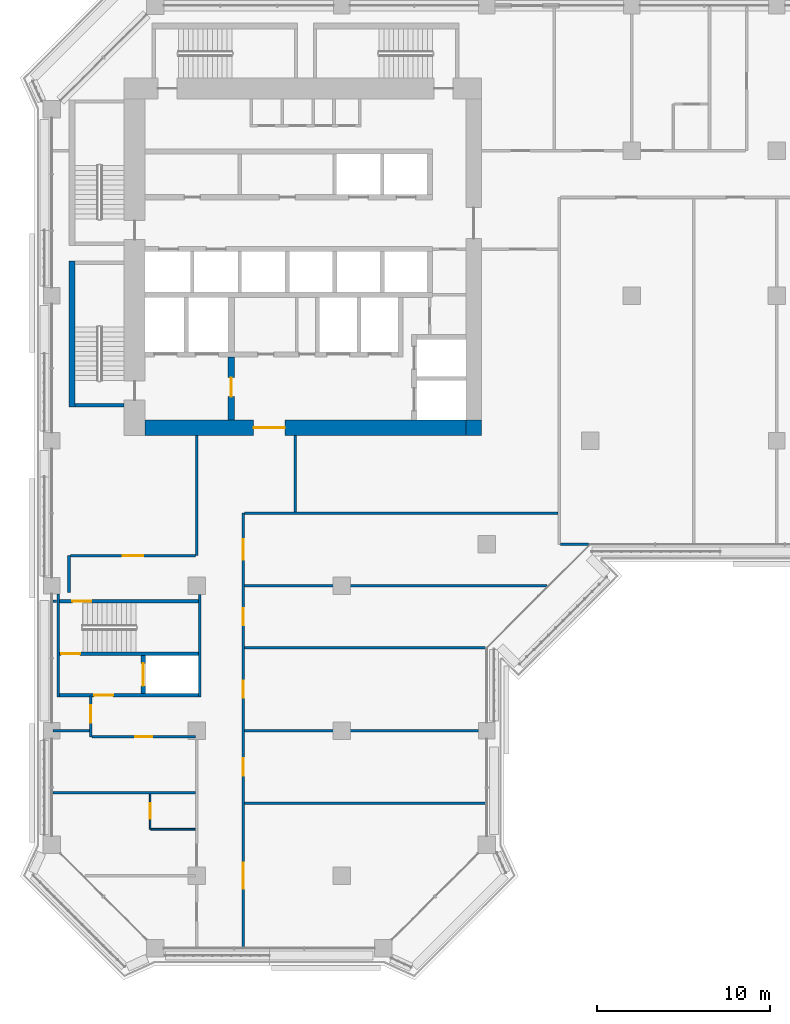
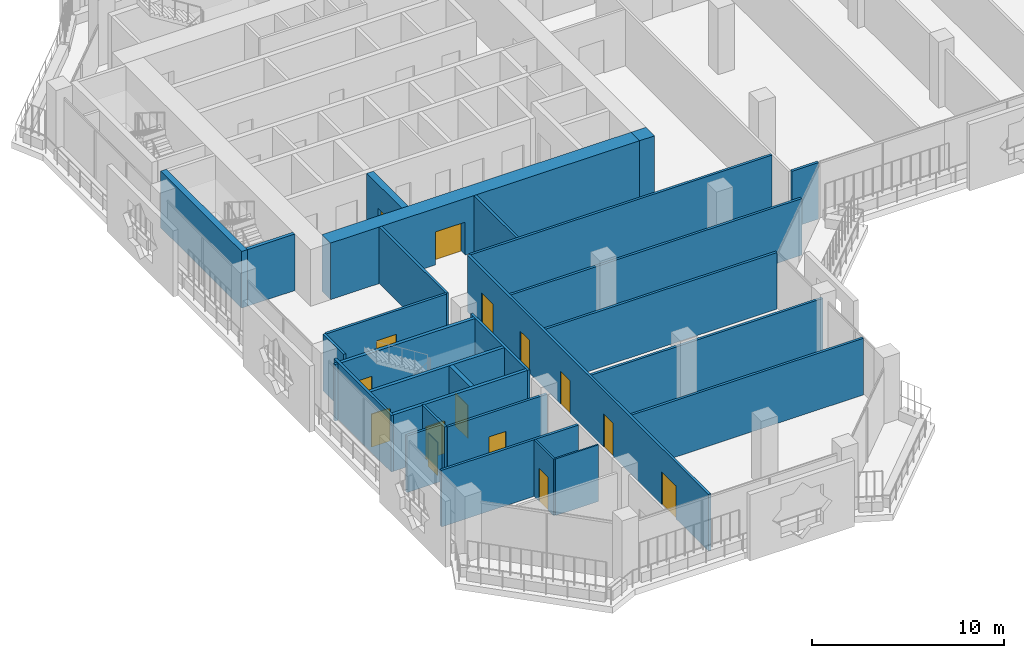
# One storey, part 10 of 21: 29 walls, 15 doors, 15 openings.
"""IFC4 building model written with IfcOpenShell, lengths in metres."""

from ifc_helpers import new_model, si_unit, direction, frame, frame_2d, origin, place, context, subcontext, project, spatial, rectangle, extrude, material, layer, layer_set, type_object, element, fill, save


model = new_model("IFC4")

# Units and contexts
model_context = context("Model", 3, precision=1e-05, world=origin(), true_north=direction((0.0, 1.0)))
body_context = subcontext(model_context, "Body", "Model", "MODEL_VIEW")
ifc_project = project(units=[si_unit("LENGTHUNIT", "METRE"), si_unit("AREAUNIT", "SQUARE_METRE"), si_unit("VOLUMEUNIT", "CUBIC_METRE"), si_unit("PLANEANGLEUNIT", "RADIAN"), si_unit("MASSUNIT", "GRAM", prefix="KILO")], contexts=[model_context])

# Site, building, storey
site_placement = place(None, origin())
site = spatial("IfcSite", under=ifc_project, at=site_placement, CompositionType="ELEMENT")
building_placement = place(site_placement, origin())
building = spatial("IfcBuilding", under=site, at=building_placement, Name="Kawkab Arch Medical Tower", CompositionType="ELEMENT")
storey_placement = place(building_placement, frame((0.0, 0.0, 200.39990234375)))
storey = spatial("IfcBuildingStorey", under=building, at=storey_placement, Name="L46", CompositionType="ELEMENT", Elevation=200.39990234375)

# Wall, opening, door
ifc_material_1 = material(Name="Concrete C55/67", Category="concrete")
ifc_layer_1 = layer(ifc_material_1, 0.89990234375)
ifc_layer_set_1 = layer_set([ifc_layer_1], Name="Concrete C55/67")
wall_type_1 = type_object("IfcWallType", Name="Core ring wall 900 C55/67", PredefinedType="SHEAR", material=ifc_layer_set_1)
wall_1_placement = place(storey_placement, frame((5.39990234375, -24.449951171875, 0.0), z_axis=(0.0, 0.0, 1.0), x_axis=(1.0, 0.0, 0.0)))
wall_1 = element("IfcWall", 1, at=wall_1_placement, inside=storey, type_object=wall_type_1, Name="L46 core wall", PredefinedType="SHEAR", context=body_context, shape_type="SweptSolid", body=[
    extrude(rectangle(XDim=18.60009765625, YDim=0.89990234375, at=frame_2d((9.300048828125, 0.0))), origin(), (0.0, 0.0, 1.0), 3.60009765625),
])
opening_1_placement = place(wall_1_placement, frame((6.300048828125, 0.0, 0.0)))
opening_1 = element("IfcOpeningElement", 2, at=opening_1_placement, cuts=wall_1, Name="Opening PD", PredefinedType="OPENING", context=body_context, shape_type="SweptSolid", body=[
    extrude(rectangle(XDim=1.800048828125, YDim=2.10009765625, at=frame_2d((0.89990234375, 1.050048828125))), frame((0.0, 0.4599609375, 0.0), z_axis=(0.0, -1.0, 0.0), x_axis=(1.0, 0.0, 0.0)), (0.0, 0.0, 1.0), 0.919921875),
])
ifc_material_2 = material(Name="Hollow metal fire door leaf")
door_type_1 = type_object("IfcDoorType", Name="Core entrance doors 1800", OperationType="DOUBLE_DOOR_SINGLE_SWING", PredefinedType="DOOR", material=ifc_material_2)
door_1_placement = place(opening_1_placement, origin())
door_1 = element("IfcDoor", 3, at=door_1_placement, inside=storey, type_object=door_type_1, Name="L46 South entrance doors", OperationType="DOUBLE_DOOR_SINGLE_SWING", OverallHeight=2.10009765625, OverallWidth=1.800048828125, PredefinedType="DOOR", context=body_context, shape_type="SweptSolid", body=[
    extrude(rectangle(XDim=1.800048828125, YDim=2.10009765625, at=frame_2d((0.89990234375, 1.050048828125))), frame((0.0, 0.02490234375, 0.0), z_axis=(0.0, -1.0, 0.0), x_axis=(1.0, 0.0, 0.0)), (0.0, 0.0, 1.0), 0.050048828125),
])
fill(opening_1, door_1)

# Wall
wall_2_placement = place(storey_placement, frame((24.449951171875, -24.89990234375, 0.0), z_axis=(0.0, 0.0, 1.0), x_axis=(0.0, 1.0, 0.0)))
element("IfcWall", 4, at=wall_2_placement, inside=storey, type_object=wall_type_1, Name="L46 core wall", PredefinedType="SHEAR", context=body_context, shape_type="SweptSolid", body=[
    extrude(rectangle(XDim=0.89990234375, YDim=0.89990234375, at=frame_2d((0.449951171875, 0.0))), origin(), (0.0, 0.0, 1.0), 3.60009765625),
])

# Wall, opening, door
ifc_material_3 = material(Name="Concrete C60/75", Category="concrete")
ifc_layer_2 = layer(ifc_material_3, 0.25)
ifc_layer_set_2 = layer_set([ifc_layer_2], Name="Concrete C60/75")
wall_type_2 = type_object("IfcWallType", Name="Core shear wall 250 C60/75", PredefinedType="SHEAR", material=ifc_layer_set_2)
wall_3_placement = place(storey_placement, frame((5.300048828125, -39.85009765625, 0.0), z_axis=(0.0, 0.0, 1.0), x_axis=(0.0, 1.0, 0.0)))
wall_3 = element("IfcWall", 5, at=wall_3_placement, inside=storey, type_object=wall_type_2, Name="L46 core shear wall", PredefinedType="SHEAR", context=body_context, shape_type="SweptSolid", body=[
    extrude(rectangle(XDim=2.2001953125, YDim=0.25, at=frame_2d((1.10009765625, 0.0))), origin(), (0.0, 0.0, 1.0), 3.60009765625),
])
opening_2_placement = place(wall_3_placement, frame((0.449951171875, 0.0, 0.0)))
opening_2 = element("IfcOpeningElement", 6, at=opening_2_placement, cuts=wall_3, Name="Opening LD2", PredefinedType="OPENING", context=body_context, shape_type="SweptSolid", body=[
    extrude(rectangle(XDim=1.300048828125, YDim=2.10009765625, at=frame_2d((0.64990234375, 1.050048828125))), frame((0.0, 0.135009765625, 0.0), z_axis=(0.0, -1.0, 0.0), x_axis=(1.0, 0.0, 0.0)), (0.0, 0.0, 1.0), 0.27001953125),
])
ifc_material_4 = material(Name="Stainless steel lift door leaf", Category="steel")
door_type_2 = type_object("IfcDoorType", Name="Lift landing door 1300", OperationType="DOUBLE_DOOR_SLIDING", PredefinedType="DOOR", material=ifc_material_4)
door_2_placement = place(opening_2_placement, origin())
door_2 = element("IfcDoor", 7, at=door_2_placement, inside=storey, type_object=door_type_2, Name="L46 Lift landing door SV2", OperationType="DOUBLE_DOOR_SLIDING", OverallHeight=2.10009765625, OverallWidth=1.300048828125, PredefinedType="DOOR", context=body_context, shape_type="SweptSolid", body=[
    extrude(rectangle(XDim=1.300048828125, YDim=2.10009765625, at=frame_2d((0.64990234375, 1.050048828125))), frame((0.0, 0.02490234375, 0.0), z_axis=(0.0, -1.0, 0.0), x_axis=(1.0, 0.0, 0.0)), (0.0, 0.0, 1.0), 0.050048828125),
])
fill(opening_2, door_2)

ifc_material_5 = material(Name="Concrete C60/75", Category="concrete")
ifc_layer_3 = layer(ifc_material_5, 0.39990234375)
ifc_layer_set_3 = layer_set([ifc_layer_3], Name="Concrete C60/75")
wall_type_3 = type_object("IfcWallType", Name="Core shear wall 400 C60/75", PredefinedType="SHEAR", material=ifc_layer_set_3)
wall_4_placement = place(storey_placement, frame((10.39990234375, -24.0, 0.0), z_axis=(0.0, 0.0, 1.0), x_axis=(0.0, 1.0, 0.0)))
wall_4 = element("IfcWall", 8, at=wall_4_placement, inside=storey, type_object=wall_type_3, Name="L46 core shear wall", PredefinedType="SHEAR", context=body_context, shape_type="SweptSolid", body=[
    extrude(rectangle(XDim=3.64990234375, YDim=0.39990234375, at=frame_2d((1.824951171875, 0.0))), origin(), (0.0, 0.0, 1.0), 3.60009765625),
])
opening_3_placement = place(wall_4_placement, frame((1.35009765625, 0.0, 0.0)))
opening_3 = element("IfcOpeningElement", 9, at=opening_3_placement, cuts=wall_4, Name="Opening FD", PredefinedType="OPENING", context=body_context, shape_type="SweptSolid", body=[
    extrude(rectangle(XDim=1.10009765625, YDim=2.10009765625, at=frame_2d((0.550048828125, 1.050048828125))), frame((0.0, 0.2099609375, 0.0), z_axis=(0.0, -1.0, 0.0), x_axis=(1.0, 0.0, 0.0)), (0.0, 0.0, 1.0), 0.419921875),
])
ifc_material_6 = material(Name="Hollow metal fire door leaf")
door_type_3 = type_object("IfcDoorType", Name="Firefighting lobby door 1100", OperationType="SINGLE_SWING_LEFT", PredefinedType="DOOR", material=ifc_material_6)
door_3_placement = place(opening_3_placement, origin())
door_3 = element("IfcDoor", 10, at=door_3_placement, inside=storey, type_object=door_type_3, Name="L46 Firefighting lobby door", OperationType="SINGLE_SWING_LEFT", OverallHeight=2.10009765625, OverallWidth=1.10009765625, PredefinedType="DOOR", context=body_context, shape_type="SweptSolid", body=[
    extrude(rectangle(XDim=1.10009765625, YDim=2.10009765625, at=frame_2d((0.550048828125, 1.050048828125))), frame((0.0, 0.02490234375, 0.0), z_axis=(0.0, -1.0, 0.0), x_axis=(1.0, 0.0, 0.0)), (0.0, 0.0, 1.0), 0.050048828125),
])
fill(opening_3, door_3)

# Wall
ifc_material_7 = material(Name="Gypsum board partition on steel studs", Category="steel")
ifc_layer_4 = layer(ifc_material_7, 0.10009765625)
ifc_layer_set_4 = layer_set([ifc_layer_4], Name="Gypsum board partition on steel studs")
wall_type_4 = type_object("IfcWallType", Name="Partition 100", PredefinedType="PARTITIONING", material=ifc_layer_set_4)
wall_5_placement = place(storey_placement, frame((5.75, -47.699951171875, 0.0), z_axis=(0.0, 0.0, 1.0), x_axis=(1.0, 0.0, 0.0)))
element("IfcWall", 11, at=wall_5_placement, inside=storey, type_object=wall_type_4, Name="Partition 100 w001", PredefinedType="PARTITIONING", context=body_context, shape_type="SweptSolid", body=[
    extrude(rectangle(XDim=2.574951171875, YDim=0.10009765625, at=frame_2d((1.28759765625, 0.0))), origin(), (0.0, 0.0, 1.0), 3.60009765625),
])

# Wall, opening, door
wall_6_placement = place(storey_placement, frame((5.699951171875, -47.699951171875, 0.0), z_axis=(0.0, 0.0, 1.0), x_axis=(0.0, 1.0, 0.0)))
wall_6 = element("IfcWall", 12, at=wall_6_placement, inside=storey, type_object=wall_type_4, Name="Partition 100 w004", PredefinedType="PARTITIONING", context=body_context, shape_type="SweptSolid", body=[
    extrude(rectangle(XDim=2.02490234375, YDim=0.10009765625, at=frame_2d((1.012451171875, 0.0))), origin(), (0.0, 0.0, 1.0), 3.60009765625),
])
opening_4_placement = place(wall_6_placement, frame((0.60009765625, 0.0, 0.0)))
opening_4 = element("IfcOpeningElement", 13, at=opening_4_placement, cuts=wall_6, Name="Opening W41-006", PredefinedType="OPENING", context=body_context, shape_type="SweptSolid", body=[
    extrude(rectangle(XDim=0.89990234375, YDim=2.10009765625, at=frame_2d((0.449951171875, 1.050048828125))), frame((0.0, 0.06005859375, 0.0), z_axis=(0.0, -1.0, 0.0), x_axis=(1.0, 0.0, 0.0)), (0.0, 0.0, 1.0), 0.1201171875),
])
ifc_material_8 = material(Name="Timber door leaf", Category="wood")
door_type_4 = type_object("IfcDoorType", Name="Single door 900x2100", OperationType="NOTDEFINED", PredefinedType="DOOR", material=ifc_material_8)
door_4_placement = place(opening_4_placement, origin())
door_4 = element("IfcDoor", 14, at=door_4_placement, inside=storey, type_object=door_type_4, Name="Door W41-006", OperationType="SINGLE_SWING_RIGHT", OverallHeight=2.10009765625, OverallWidth=0.89990234375, PredefinedType="DOOR", context=body_context, shape_type="SweptSolid", body=[
    extrude(rectangle(XDim=0.89990234375, YDim=2.10009765625, at=frame_2d((0.449951171875, 1.050048828125))), frame((0.0, 0.02490234375, 0.0), z_axis=(0.0, -1.0, 0.0), x_axis=(1.0, 0.0, 0.0)), (0.0, 0.0, 1.0), 0.050048828125),
])
fill(opening_4, door_4)

# Walls
ifc_material_9 = material(Name="Gypsum board partition on steel studs, mineral wool", Category="steel")
ifc_layer_5 = layer(ifc_material_9, 0.14990234375)
ifc_layer_set_5 = layer_set([ifc_layer_5], Name="Gypsum board partition on steel studs, mineral wool")
wall_type_5 = type_object("IfcWallType", Name="Partition 150", PredefinedType="PARTITIONING", material=ifc_layer_set_5)
wall_7_placement = place(storey_placement, frame((11.175048828125, -46.199951171875, 0.0), z_axis=(0.0, 0.0, 1.0), x_axis=(1.0, 0.0, 0.0)))
element("IfcWall", 15, at=wall_7_placement, inside=storey, type_object=wall_type_5, Name="Partition 150 w008", PredefinedType="PARTITIONING", context=body_context, shape_type="SweptSolid", body=[
    extrude(rectangle(XDim=13.945068359375, YDim=0.14990234375, at=frame_2d((6.97265625, 0.0))), origin(), (0.0, 0.0, 1.0), 3.60009765625),
])
wall_8_placement = place(storey_placement, frame((0.080078125, -45.60009765625, 0.0), z_axis=(0.0, 0.0, 1.0), x_axis=(1.0, 0.0, 0.0)))
element("IfcWall", 16, at=wall_8_placement, inside=storey, type_object=wall_type_5, Name="Partition 150 w009", PredefinedType="PARTITIONING", context=body_context, shape_type="SweptSolid", body=[
    extrude(rectangle(XDim=8.244873046875, YDim=0.14990234375, at=frame_2d((4.12255859375, 0.0))), origin(), (0.0, 0.0, 1.0), 3.60009765625),
])

# Wall, opening, door
wall_9_placement = place(storey_placement, frame((2.326904296875, -42.35009765625, 0.0), z_axis=(0.0, 0.0, 1.0), x_axis=(1.0, 0.0, 0.0)))
wall_9 = element("IfcWall", 17, at=wall_9_placement, inside=storey, type_object=wall_type_5, Name="Partition 150 w010", PredefinedType="PARTITIONING", context=body_context, shape_type="SweptSolid", body=[
    extrude(rectangle(XDim=5.998046875, YDim=0.14990234375, at=frame_2d((2.9990234375, 0.0))), origin(), (0.0, 0.0, 1.0), 3.60009765625),
])
opening_5_placement = place(wall_9_placement, frame((2.4990234375, 0.0, 0.0)))
opening_5 = element("IfcOpeningElement", 18, at=opening_5_placement, cuts=wall_9, Name="Opening W41-018", PredefinedType="OPENING", context=body_context, shape_type="SweptSolid", body=[
    extrude(rectangle(XDim=1.0, YDim=2.10009765625, at=frame_2d((0.5, 1.050048828125))), frame((0.0, 0.0849609375, 0.0), z_axis=(0.0, -1.0, 0.0), x_axis=(1.0, 0.0, 0.0)), (0.0, 0.0, 1.0), 0.169921875),
])
ifc_material_10 = material(Name="Hollow metal door leaf")
door_type_5 = type_object("IfcDoorType", Name="Single door 1000x2100 FD30S", OperationType="NOTDEFINED", PredefinedType="DOOR", material=ifc_material_10)
door_5_placement = place(opening_5_placement, origin())
door_5 = element("IfcDoor", 19, at=door_5_placement, inside=storey, type_object=door_type_5, Name="Door W41-018", OperationType="SINGLE_SWING_LEFT", OverallHeight=2.10009765625, OverallWidth=1.0, PredefinedType="DOOR", context=body_context, shape_type="SweptSolid", body=[
    extrude(rectangle(XDim=1.0, YDim=2.10009765625, at=frame_2d((0.5, 1.050048828125))), frame((0.0, 0.02490234375, 0.0), z_axis=(0.0, -1.0, 0.0), x_axis=(1.0, 0.0, 0.0)), (0.0, 0.0, 1.0), 0.050048828125),
])
fill(opening_5, door_5)

# Walls
wall_10_placement = place(storey_placement, frame((0.080078125, -42.0, 0.0), z_axis=(0.0, 0.0, 1.0), x_axis=(1.0, 0.0, 0.0)))
element("IfcWall", 20, at=wall_10_placement, inside=storey, type_object=wall_type_5, Name="Partition 150 w011", PredefinedType="PARTITIONING", context=body_context, shape_type="SweptSolid", body=[
    extrude(rectangle(XDim=2.094970703125, YDim=0.14990234375, at=frame_2d((1.04736328125, 0.0))), origin(), (0.0, 0.0, 1.0), 3.60009765625),
])
for number, where, z_axis, x_axis, name in (
    (21, (11.175048828125, -42.0, 0.0), (0.0, 0.0, 1.0), (1.0, 0.0, 0.0), "Partition 150 w012"),
    (22, (11.175048828125, -37.199951171875, 0.0), (0.0, 0.0, 1.0), (1.0, 0.0, 0.0), "Partition 150 w013"),
):
    element("IfcWall", number, at=place(storey_placement, frame(where, z_axis=z_axis, x_axis=x_axis)), inside=storey, type_object=wall_type_5, Name=name, PredefinedType="PARTITIONING", context=body_context, shape_type="SweptSolid", body=[
        extrude(rectangle(XDim=13.945068359375, YDim=0.14990234375, at=frame_2d((6.97265625, 0.0))), origin(), (0.0, 0.0, 1.0), 3.60009765625),
    ])
wall_11_placement = place(storey_placement, frame((0.080078125, -34.5, 0.0), z_axis=(0.0, 0.0, 1.0), x_axis=(1.0, 0.0, 0.0)))
element("IfcWall", 23, at=wall_11_placement, inside=storey, type_object=wall_type_5, Name="Partition 150 w014", PredefinedType="PARTITIONING", context=body_context, shape_type="SweptSolid", body=[
    extrude(rectangle(XDim=0.18994140625, YDim=0.14990234375, at=frame_2d((0.094970703125, 0.0))), origin(), (0.0, 0.0, 1.0), 3.60009765625),
])
wall_12_placement = place(storey_placement, frame((11.175048828125, -33.60009765625, 0.0), z_axis=(0.0, 0.0, 1.0), x_axis=(1.0, 0.0, 0.0)))
element("IfcWall", 24, at=wall_12_placement, inside=storey, type_object=wall_type_5, Name="Partition 150 w015", PredefinedType="PARTITIONING", context=body_context, shape_type="SweptSolid", body=[
    extrude(rectangle(XDim=17.511962890625, YDim=0.14990234375, at=frame_2d((8.755859375, 0.0))), origin(), (0.0, 0.0, 1.0), 3.60009765625),
])

# Wall, opening, door
wall_13_placement = place(storey_placement, frame((1.076904296875, -31.85693359375, 0.0), z_axis=(0.0, 0.0, 1.0), x_axis=(1.0, 0.0, 0.0)))
wall_13 = element("IfcWall", 25, at=wall_13_placement, inside=storey, type_object=wall_type_5, Name="Partition 150 w016", PredefinedType="PARTITIONING", context=body_context, shape_type="SweptSolid", body=[
    extrude(rectangle(XDim=7.248046875, YDim=0.14990234375, at=frame_2d((3.6240234375, 0.0))), origin(), (0.0, 0.0, 1.0), 3.60009765625),
])
opening_6_placement = place(wall_13_placement, frame((3.02392578125, 0.0, 0.0)))
opening_6 = element("IfcOpeningElement", 26, at=opening_6_placement, cuts=wall_13, Name="Opening W41-028", PredefinedType="OPENING", context=body_context, shape_type="SweptSolid", body=[
    extrude(rectangle(XDim=1.199951171875, YDim=2.10009765625, at=frame_2d((0.60009765625, 1.050048828125))), frame((0.0, 0.0849609375, 0.0), z_axis=(0.0, -1.0, 0.0), x_axis=(1.0, 0.0, 0.0)), (0.0, 0.0, 1.0), 0.169921875),
])
ifc_material_11 = material(Name="Hollow metal door leaf")
door_type_6 = type_object("IfcDoorType", Name="Single door 1200x2100 FD30S", OperationType="NOTDEFINED", PredefinedType="DOOR", material=ifc_material_11)
door_6_placement = place(opening_6_placement, origin())
door_6 = element("IfcDoor", 27, at=door_6_placement, inside=storey, type_object=door_type_6, Name="Door W41-028", OperationType="SINGLE_SWING_RIGHT", OverallHeight=2.10009765625, OverallWidth=1.199951171875, PredefinedType="DOOR", context=body_context, shape_type="SweptSolid", body=[
    extrude(rectangle(XDim=1.199951171875, YDim=2.10009765625, at=frame_2d((0.60009765625, 1.050048828125))), frame((0.0, 0.02490234375, 0.0), z_axis=(0.0, -1.0, 0.0), x_axis=(1.0, 0.0, 0.0)), (0.0, 0.0, 1.0), 0.050048828125),
])
fill(opening_6, door_6)

# Walls
wall_14_placement = place(storey_placement, frame((29.47705078125, -31.199951171875, 0.0), z_axis=(0.0, 0.0, 1.0), x_axis=(1.0, 0.0, 0.0)))
element("IfcWall", 28, at=wall_14_placement, inside=storey, type_object=wall_type_5, Name="Partition 150 w017", PredefinedType="PARTITIONING", context=body_context, shape_type="SweptSolid", body=[
    extrude(rectangle(XDim=1.60986328125, YDim=0.14990234375, at=frame_2d((0.804931640625, 0.0))), origin(), (0.0, 0.0, 1.0), 3.60009765625),
])
wall_15_placement = place(storey_placement, frame((11.175048828125, -29.39990234375, 0.0), z_axis=(0.0, 0.0, 1.0), x_axis=(1.0, 0.0, 0.0)))
element("IfcWall", 29, at=wall_15_placement, inside=storey, type_object=wall_type_5, Name="Partition 150 w018", PredefinedType="PARTITIONING", context=body_context, shape_type="SweptSolid", body=[
    extrude(rectangle(XDim=18.14990234375, YDim=0.14990234375, at=frame_2d((9.074951171875, 0.0))), origin(), (0.0, 0.0, 1.0), 3.60009765625),
])
wall_16_placement = place(storey_placement, frame((1.0, -33.9970703125, 0.0), z_axis=(0.0, 0.0, 1.0), x_axis=(0.0, 1.0, 0.0)))
element("IfcWall", 30, at=wall_16_placement, inside=storey, type_object=wall_type_5, Name="Partition 150 w025", PredefinedType="PARTITIONING", context=body_context, shape_type="SweptSolid", body=[
    extrude(rectangle(XDim=2.135986328125, YDim=0.14990234375, at=frame_2d((1.06787109375, 0.0))), origin(), (0.0, 0.0, 1.0), 3.60009765625),
])

# Wall, opening, door
wall_17_placement = place(storey_placement, frame((2.25, -42.347900390625, 0.0), z_axis=(0.0, 0.0, 1.0), x_axis=(0.0, 1.0, 0.0)))
wall_17 = element("IfcWall", 31, at=wall_17_placement, inside=storey, type_object=wall_type_5, Name="Partition 150 w026", PredefinedType="PARTITIONING", context=body_context, shape_type="SweptSolid", body=[
    extrude(rectangle(XDim=2.347900390625, YDim=0.14990234375, at=frame_2d((1.173828125, 0.0))), origin(), (0.0, 0.0, 1.0), 3.60009765625),
])
opening_7_placement = place(wall_17_placement, frame((0.822998046875, 0.0, 0.0)))
opening_7 = element("IfcOpeningElement", 32, at=opening_7_placement, cuts=wall_17, Name="Opening W41-017", PredefinedType="OPENING", context=body_context, shape_type="SweptSolid", body=[
    extrude(rectangle(XDim=1.0, YDim=2.10009765625, at=frame_2d((0.5, 1.050048828125))), frame((0.0, 0.0849609375, 0.0), z_axis=(0.0, -1.0, 0.0), x_axis=(1.0, 0.0, 0.0)), (0.0, 0.0, 1.0), 0.169921875),
])
door_7_placement = place(opening_7_placement, origin())
door_7 = element("IfcDoor", 33, at=door_7_placement, inside=storey, type_object=door_type_5, Name="Door W41-017", OperationType="SINGLE_SWING_LEFT", OverallHeight=2.10009765625, OverallWidth=1.0, PredefinedType="DOOR", context=body_context, shape_type="SweptSolid", body=[
    extrude(rectangle(XDim=1.0, YDim=2.10009765625, at=frame_2d((0.5, 1.050048828125))), frame((0.0, 0.02490234375, 0.0), z_axis=(0.0, -1.0, 0.0), x_axis=(1.0, 0.0, 0.0)), (0.0, 0.0, 1.0), 0.050048828125),
])
fill(opening_7, door_7)

# Wall
wall_18_placement = place(storey_placement, frame((8.39990234375, -31.85693359375, 0.0), z_axis=(0.0, 0.0, 1.0), x_axis=(0.0, 1.0, 0.0)))
element("IfcWall", 34, at=wall_18_placement, inside=storey, type_object=wall_type_5, Name="Partition 150 w028", PredefinedType="PARTITIONING", context=body_context, shape_type="SweptSolid", body=[
    extrude(rectangle(XDim=6.95703125, YDim=0.14990234375, at=frame_2d((3.478515625, 0.0))), origin(), (0.0, 0.0, 1.0), 3.60009765625),
])

# Wall, openings, doors
wall_19_placement = place(storey_placement, frame((11.10009765625, -54.52001953125, 0.0), z_axis=(0.0, 0.0, 1.0), x_axis=(0.0, 1.0, 0.0)))
wall_19 = element("IfcWall", 35, at=wall_19_placement, inside=storey, type_object=wall_type_5, Name="Partition 150 w029", PredefinedType="PARTITIONING", context=body_context, shape_type="SweptSolid", body=[
    extrude(rectangle(XDim=25.1201171875, YDim=0.14990234375, at=frame_2d((12.56005859375, 0.0))), origin(), (0.0, 0.0, 1.0), 3.60009765625),
])
opening_8_placement = place(wall_19_placement, frame((22.419921875, 0.0, 0.0)))
opening_8 = element("IfcOpeningElement", 36, at=opening_8_placement, cuts=wall_19, Name="Opening W41-030", PredefinedType="OPENING", context=body_context, shape_type="SweptSolid", body=[
    extrude(rectangle(XDim=1.199951171875, YDim=2.10009765625, at=frame_2d((0.60009765625, 1.050048828125))), frame((0.0, 0.0849609375, 0.0), z_axis=(0.0, -1.0, 0.0), x_axis=(1.0, 0.0, 0.0)), (0.0, 0.0, 1.0), 0.169921875),
])
opening_9_placement = place(wall_19_placement, frame((18.6201171875, 0.0, 0.0)))
opening_9 = element("IfcOpeningElement", 37, at=opening_9_placement, cuts=wall_19, Name="Opening W41-020", PredefinedType="OPENING", context=body_context, shape_type="SweptSolid", body=[
    extrude(rectangle(XDim=1.0, YDim=2.10009765625, at=frame_2d((0.5, 1.050048828125))), frame((0.0, 0.0849609375, 0.0), z_axis=(0.0, -1.0, 0.0), x_axis=(1.0, 0.0, 0.0)), (0.0, 0.0, 1.0), 0.169921875),
])
opening_10_placement = place(wall_19_placement, frame((14.419921875, 0.0, 0.0)))
opening_10 = element("IfcOpeningElement", 38, at=opening_10_placement, cuts=wall_19, Name="Opening W41-021", PredefinedType="OPENING", context=body_context, shape_type="SweptSolid", body=[
    extrude(rectangle(XDim=1.0, YDim=2.10009765625, at=frame_2d((0.5, 1.050048828125))), frame((0.0, 0.0849609375, 0.0), z_axis=(0.0, -1.0, 0.0), x_axis=(1.0, 0.0, 0.0)), (0.0, 0.0, 1.0), 0.169921875),
])
opening_11_placement = place(wall_19_placement, frame((9.919921875, 0.0, 0.0)))
opening_11 = element("IfcOpeningElement", 39, at=opening_11_placement, cuts=wall_19, Name="Opening W41-022", PredefinedType="OPENING", context=body_context, shape_type="SweptSolid", body=[
    extrude(rectangle(XDim=1.0, YDim=2.10009765625, at=frame_2d((0.5, 1.050048828125))), frame((0.0, 0.0849609375, 0.0), z_axis=(0.0, -1.0, 0.0), x_axis=(1.0, 0.0, 0.0)), (0.0, 0.0, 1.0), 0.169921875),
])
opening_12_placement = place(wall_19_placement, frame((3.3701171875, 0.0, 0.0)))
opening_12 = element("IfcOpeningElement", 40, at=opening_12_placement, cuts=wall_19, Name="Opening W41-003", PredefinedType="OPENING", context=body_context, shape_type="SweptSolid", body=[
    extrude(rectangle(XDim=1.5, YDim=2.10009765625, at=frame_2d((0.75, 1.050048828125))), frame((0.0, 0.0849609375, 0.0), z_axis=(0.0, -1.0, 0.0), x_axis=(1.0, 0.0, 0.0)), (0.0, 0.0, 1.0), 0.169921875),
])
ifc_material_12 = material(Name="Hollow metal door leaf")
door_type_7 = type_object("IfcDoorType", Name="Double door 1500x2100 FD30S", OperationType="NOTDEFINED", PredefinedType="DOOR", material=ifc_material_12)
door_8_placement = place(opening_12_placement, origin())
door_8 = element("IfcDoor", 41, at=door_8_placement, inside=storey, type_object=door_type_7, Name="Door W41-003", OperationType="DOUBLE_DOOR_SINGLE_SWING", OverallHeight=2.10009765625, OverallWidth=1.5, PredefinedType="DOOR", context=body_context, shape_type="SweptSolid", body=[
    extrude(rectangle(XDim=1.5, YDim=2.10009765625, at=frame_2d((0.75, 1.050048828125))), frame((0.0, 0.02490234375, 0.0), z_axis=(0.0, -1.0, 0.0), x_axis=(1.0, 0.0, 0.0)), (0.0, 0.0, 1.0), 0.050048828125),
])
fill(opening_12, door_8)
door_9_placement = place(opening_9_placement, origin())
door_9 = element("IfcDoor", 42, at=door_9_placement, inside=storey, type_object=door_type_5, Name="Door W41-020", OperationType="SINGLE_SWING_LEFT", OverallHeight=2.10009765625, OverallWidth=1.0, PredefinedType="DOOR", context=body_context, shape_type="SweptSolid", body=[
    extrude(rectangle(XDim=1.0, YDim=2.10009765625, at=frame_2d((0.5, 1.050048828125))), frame((0.0, 0.02490234375, 0.0), z_axis=(0.0, -1.0, 0.0), x_axis=(1.0, 0.0, 0.0)), (0.0, 0.0, 1.0), 0.050048828125),
])
fill(opening_9, door_9)
door_10_placement = place(opening_10_placement, origin())
door_10 = element("IfcDoor", 43, at=door_10_placement, inside=storey, type_object=door_type_5, Name="Door W41-021", OperationType="SINGLE_SWING_LEFT", OverallHeight=2.10009765625, OverallWidth=1.0, PredefinedType="DOOR", context=body_context, shape_type="SweptSolid", body=[
    extrude(rectangle(XDim=1.0, YDim=2.10009765625, at=frame_2d((0.5, 1.050048828125))), frame((0.0, 0.02490234375, 0.0), z_axis=(0.0, -1.0, 0.0), x_axis=(1.0, 0.0, 0.0)), (0.0, 0.0, 1.0), 0.050048828125),
])
fill(opening_10, door_10)
door_11_placement = place(opening_11_placement, origin())
door_11 = element("IfcDoor", 44, at=door_11_placement, inside=storey, type_object=door_type_5, Name="Door W41-022", OperationType="SINGLE_SWING_RIGHT", OverallHeight=2.10009765625, OverallWidth=1.0, PredefinedType="DOOR", context=body_context, shape_type="SweptSolid", body=[
    extrude(rectangle(XDim=1.0, YDim=2.10009765625, at=frame_2d((0.5, 1.050048828125))), frame((0.0, 0.02490234375, 0.0), z_axis=(0.0, -1.0, 0.0), x_axis=(1.0, 0.0, 0.0)), (0.0, 0.0, 1.0), 0.050048828125),
])
fill(opening_11, door_11)
door_12_placement = place(opening_8_placement, origin())
door_12 = element("IfcDoor", 45, at=door_12_placement, inside=storey, type_object=door_type_6, Name="Door W41-030", OperationType="SINGLE_SWING_LEFT", OverallHeight=2.10009765625, OverallWidth=1.199951171875, PredefinedType="DOOR", context=body_context, shape_type="SweptSolid", body=[
    extrude(rectangle(XDim=1.199951171875, YDim=2.10009765625, at=frame_2d((0.60009765625, 1.050048828125))), frame((0.0, 0.02490234375, 0.0), z_axis=(0.0, -1.0, 0.0), x_axis=(1.0, 0.0, 0.0)), (0.0, 0.0, 1.0), 0.050048828125),
])
fill(opening_8, door_12)

# Walls
wall_20_placement = place(storey_placement, frame((14.10009765625, -29.324951171875, 0.0), z_axis=(0.0, 0.0, 1.0), x_axis=(0.0, 1.0, 0.0)))
element("IfcWall", 46, at=wall_20_placement, inside=storey, type_object=wall_type_5, Name="Partition 150 w030", PredefinedType="PARTITIONING", context=body_context, shape_type="SweptSolid", body=[
    extrude(rectangle(XDim=4.425048828125, YDim=0.14990234375, at=frame_2d((2.21240234375, 0.0))), origin(), (0.0, 0.0, 1.0), 3.60009765625),
])
ifc_material_13 = material(Name="Concrete C50/60", Category="concrete")
ifc_layer_6 = layer(ifc_material_13, 0.14990234375)
ifc_layer_set_6 = layer_set([ifc_layer_6], Name="Concrete C50/60")
wall_type_6 = type_object("IfcWallType", Name="Stair enclosure wall 150 C50/60", PredefinedType="SHEAR", material=ifc_layer_set_6)
wall_21_placement = place(storey_placement, frame((0.375, -40.050048828125, 0.0), z_axis=(0.0, 0.0, 1.0), x_axis=(0.0, 1.0, 0.0)))
element("IfcWall", 47, at=wall_21_placement, inside=storey, type_object=wall_type_6, Name="L46 stair enclosure wall", PredefinedType="SHEAR", context=body_context, shape_type="SweptSolid", body=[
    extrude(rectangle(XDim=5.97509765625, YDim=0.14990234375, at=frame_2d((2.987548828125, 0.0))), origin(), (0.0, 0.0, 1.0), 3.60009765625),
])
wall_22_placement = place(storey_placement, frame((8.574951171875, -40.050048828125, 0.0), z_axis=(0.0, 0.0, 1.0), x_axis=(0.0, 1.0, 0.0)))
element("IfcWall", 48, at=wall_22_placement, inside=storey, type_object=wall_type_6, Name="L46 stair enclosure wall", PredefinedType="SHEAR", context=body_context, shape_type="SweptSolid", body=[
    extrude(rectangle(XDim=5.949951171875, YDim=0.14990234375, at=frame_2d((2.97509765625, 0.0))), origin(), (0.0, 0.0, 1.0), 3.60009765625),
])
ifc_material_14 = material(Name="Concrete C50/60", Category="concrete")
ifc_layer_7 = layer(ifc_material_14, 0.199951171875)
ifc_layer_set_7 = layer_set([ifc_layer_7], Name="Concrete C50/60")
wall_type_7 = type_object("IfcWallType", Name="Stair enclosure wall 200 C50/60", PredefinedType="SHEAR", material=ifc_layer_set_7)
wall_23_placement = place(storey_placement, frame((1.35009765625, -23.14990234375, 0.0), z_axis=(0.0, 0.0, 1.0), x_axis=(1.0, 0.0, 0.0)))
element("IfcWall", 49, at=wall_23_placement, inside=storey, type_object=wall_type_7, Name="L46 stair enclosure wall", PredefinedType="SHEAR", context=body_context, shape_type="SweptSolid", body=[
    extrude(rectangle(XDim=2.849853515625, YDim=0.199951171875, at=frame_2d((1.4248046875, 0.0))), origin(), (0.0, 0.0, 1.0), 3.60009765625),
])

# Wall, opening, door
wall_24_placement = place(storey_placement, frame((0.449951171875, -34.5, 0.0), z_axis=(0.0, 0.0, 1.0), x_axis=(1.0, 0.0, 0.0)))
wall_24 = element("IfcWall", 50, at=wall_24_placement, inside=storey, type_object=wall_type_7, Name="L46 stair enclosure wall", PredefinedType="SHEAR", context=body_context, shape_type="SweptSolid", body=[
    extrude(rectangle(XDim=8.050048828125, YDim=0.199951171875, at=frame_2d((4.02490234375, 0.0))), origin(), (0.0, 0.0, 1.0), 3.60009765625),
])
opening_13_placement = place(wall_24_placement, frame((0.75, 0.0, 0.0)))
opening_13 = element("IfcOpeningElement", 51, at=opening_13_placement, cuts=wall_24, Name="Opening SD", PredefinedType="OPENING", context=body_context, shape_type="SweptSolid", body=[
    extrude(rectangle(XDim=1.10009765625, YDim=2.10009765625, at=frame_2d((0.550048828125, 1.050048828125))), frame((0.0, 0.10986328125, 0.0), z_axis=(0.0, -1.0, 0.0), x_axis=(1.0, 0.0, 0.0)), (0.0, 0.0, 1.0), 0.219970703125),
])
ifc_material_15 = material(Name="Hollow metal fire door leaf")
door_type_8 = type_object("IfcDoorType", Name="Exit stair door 1100", OperationType="SINGLE_SWING_LEFT", PredefinedType="DOOR", material=ifc_material_15)
door_13_placement = place(opening_13_placement, origin())
door_13 = element("IfcDoor", 52, at=door_13_placement, inside=storey, type_object=door_type_8, Name="L46 Exit stair ST6 door", OperationType="SINGLE_SWING_LEFT", OverallHeight=2.10009765625, OverallWidth=1.10009765625, PredefinedType="DOOR", context=body_context, shape_type="SweptSolid", body=[
    extrude(rectangle(XDim=1.10009765625, YDim=2.10009765625, at=frame_2d((0.550048828125, 1.050048828125))), frame((0.0, 0.02490234375, 0.0), z_axis=(0.0, -1.0, 0.0), x_axis=(1.0, 0.0, 0.0)), (0.0, 0.0, 1.0), 0.050048828125),
])
fill(opening_13, door_13)

wall_25_placement = place(storey_placement, frame((0.449951171875, -37.550048828125, 0.0), z_axis=(0.0, 0.0, 1.0), x_axis=(1.0, 0.0, 0.0)))
wall_25 = element("IfcWall", 53, at=wall_25_placement, inside=storey, type_object=wall_type_7, Name="L46 stair enclosure wall", PredefinedType="SHEAR", context=body_context, shape_type="SweptSolid", body=[
    extrude(rectangle(XDim=8.050048828125, YDim=0.199951171875, at=frame_2d((4.02490234375, 0.0))), origin(), (0.0, 0.0, 1.0), 3.60009765625),
])
opening_14_placement = place(wall_25_placement, frame((0.10009765625, 0.0, 0.0)))
opening_14 = element("IfcOpeningElement", 54, at=opening_14_placement, cuts=wall_25, Name="Opening SD", PredefinedType="OPENING", context=body_context, shape_type="SweptSolid", body=[
    extrude(rectangle(XDim=1.10009765625, YDim=2.10009765625, at=frame_2d((0.550048828125, 1.050048828125))), frame((0.0, 0.10986328125, 0.0), z_axis=(0.0, -1.0, 0.0), x_axis=(1.0, 0.0, 0.0)), (0.0, 0.0, 1.0), 0.219970703125),
])
door_14_placement = place(opening_14_placement, frame((1.10009765625, 0.0, 0.0), z_axis=(0.0, 0.0, 1.0), x_axis=(-1.0, 0.0, 0.0)))
door_14 = element("IfcDoor", 55, at=door_14_placement, inside=storey, type_object=door_type_8, Name="L46 Exit stair ST6 lobby door", OperationType="SINGLE_SWING_LEFT", OverallHeight=2.10009765625, OverallWidth=1.10009765625, PredefinedType="DOOR", context=body_context, shape_type="SweptSolid", body=[
    extrude(rectangle(XDim=1.10009765625, YDim=2.10009765625, at=frame_2d((0.550048828125, 1.050048828125))), frame((0.0, 0.02490234375, 0.0), z_axis=(0.0, -1.0, 0.0), x_axis=(1.0, 0.0, 0.0)), (0.0, 0.0, 1.0), 0.050048828125),
])
fill(opening_14, door_14)

wall_26_placement = place(storey_placement, frame((0.449951171875, -39.949951171875, 0.0), z_axis=(0.0, 0.0, 1.0), x_axis=(1.0, 0.0, 0.0)))
wall_26 = element("IfcWall", 56, at=wall_26_placement, inside=storey, type_object=wall_type_7, Name="L46 stair enclosure wall", PredefinedType="SHEAR", context=body_context, shape_type="SweptSolid", body=[
    extrude(rectangle(XDim=8.050048828125, YDim=0.199951171875, at=frame_2d((4.02490234375, 0.0))), origin(), (0.0, 0.0, 1.0), 3.60009765625),
])
opening_15_placement = place(wall_26_placement, frame((2.0, 0.0, 0.0)))
opening_15 = element("IfcOpeningElement", 57, at=opening_15_placement, cuts=wall_26, Name="Opening FD", PredefinedType="OPENING", context=body_context, shape_type="SweptSolid", body=[
    extrude(rectangle(XDim=1.10009765625, YDim=2.10009765625, at=frame_2d((0.550048828125, 1.050048828125))), frame((0.0, 0.10986328125, 0.0), z_axis=(0.0, -1.0, 0.0), x_axis=(1.0, 0.0, 0.0)), (0.0, 0.0, 1.0), 0.219970703125),
])
door_15_placement = place(opening_15_placement, origin())
door_15 = element("IfcDoor", 58, at=door_15_placement, inside=storey, type_object=door_type_3, Name="L46 Service lift lobby door SV2", OperationType="SINGLE_SWING_LEFT", OverallHeight=2.10009765625, OverallWidth=1.10009765625, PredefinedType="DOOR", context=body_context, shape_type="SweptSolid", body=[
    extrude(rectangle(XDim=1.10009765625, YDim=2.10009765625, at=frame_2d((0.550048828125, 1.050048828125))), frame((0.0, 0.02490234375, 0.0), z_axis=(0.0, -1.0, 0.0), x_axis=(1.0, 0.0, 0.0)), (0.0, 0.0, 1.0), 0.050048828125),
])
fill(opening_15, door_15)

# Wall
ifc_material_16 = material(Name="Concrete C50/60", Category="concrete")
ifc_layer_8 = layer(ifc_material_16, 0.35009765625)
ifc_layer_set_8 = layer_set([ifc_layer_8], Name="Concrete C50/60")
wall_type_8 = type_object("IfcWallType", Name="Stair enclosure wall 350 C50/60", PredefinedType="SHEAR", material=ifc_layer_set_8)
wall_27_placement = place(storey_placement, frame((1.175048828125, -23.25, 0.0), z_axis=(0.0, 0.0, 1.0), x_axis=(0.0, 1.0, 0.0)))
element("IfcWall", 59, at=wall_27_placement, inside=storey, type_object=wall_type_8, Name="L46 stair enclosure wall", PredefinedType="SHEAR", context=body_context, shape_type="SweptSolid", body=[
    extrude(rectangle(XDim=8.449951171875, YDim=0.35009765625, at=frame_2d((4.22509765625, 0.0))), origin(), (0.0, 0.0, 1.0), 3.60009765625),
])

save(model, "model.ifc")
